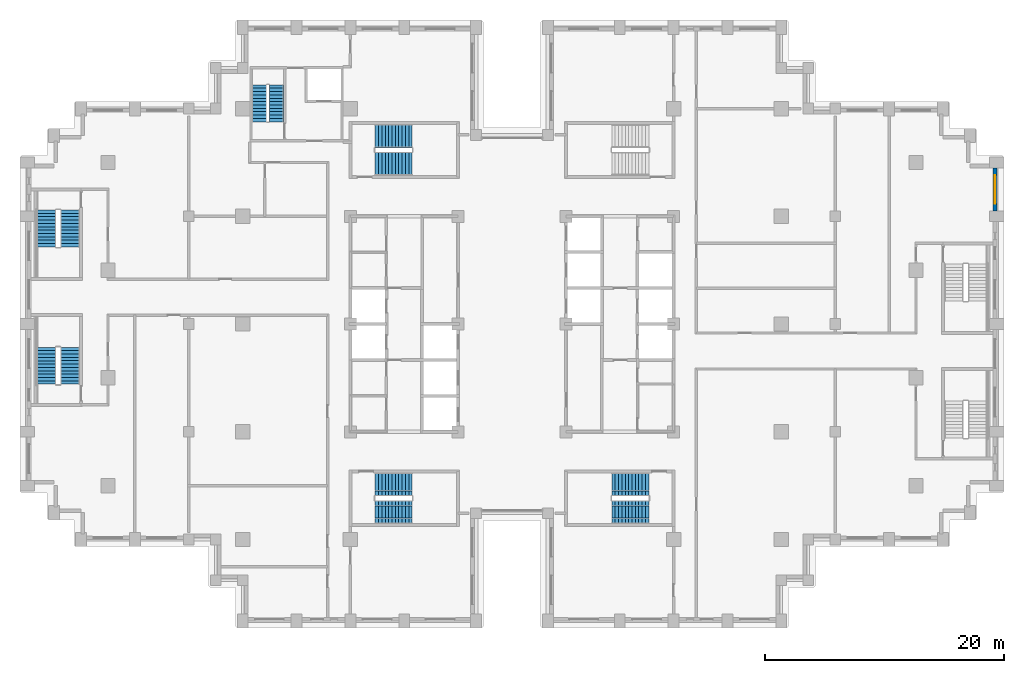
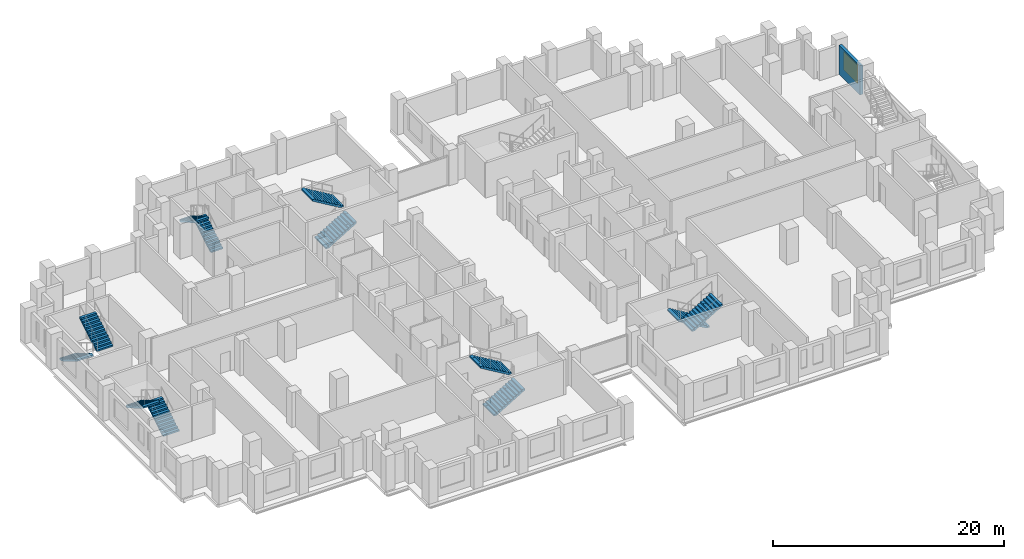
# One storey, part 12 of 15: 12 stair flights, 1 wall, 1 window, 1 opening, 6 elements without a shape of their own.
"""IFC4 building model written with IfcOpenShell, lengths in metres."""

import ifcopenshell
import ifcopenshell.guid

model = None  # the IFC model being written
_history = None  # IfcOwnerHistory: only IFC2X3 demands one
_inside = {}  # id of a spatial element -> (the spatial element, [elements in it])
_under = {}  # id of a project, library or spatial element -> (it, [spatial elements below it])
_declared = {}  # id of a project -> (the project, [libraries it declares])
_typed = {}  # id of a type object -> (the type object, [elements of that type])
_made_of = {}  # id of a material, layer set ... -> (it, [elements and type objects made of it])


def new_model(schema):
    """Start an empty IFC model of exactly this schema.

    Asked for "IFC4X3", IfcOpenShell would pick the latest addendum, in which some entities
    have other attributes; the version numbers below select the first issue.
    IFC2X3 requires an IfcOwnerHistory on every rooted entity: one is made here for all.
    """
    global model, _history
    if schema == "IFC4X3":
        model = ifcopenshell.file(schema_version=(4, 3, 0, 0))
    else:
        model = ifcopenshell.file(schema=schema)
    _inside.clear()
    _under.clear()
    _declared.clear()
    _typed.clear()
    _made_of.clear()
    _history = None
    if model.schema == "IFC2X3":
        org = make("IfcOrganization", Name="unknown")
        user = make(
            "IfcPersonAndOrganization",
            ThePerson=make("IfcPerson", FamilyName="unknown"),
            TheOrganization=org,
        )
        app = make(
            "IfcApplication",
            ApplicationDeveloper=org,
            Version="unknown",
            ApplicationFullName="unknown",
            ApplicationIdentifier="unknown",
        )
        _history = make(
            "IfcOwnerHistory",
            OwningUser=user,
            OwningApplication=app,
            ChangeAction="ADDED",
            CreationDate=0,
        )
    return model


def make(cls, **values):
    """One entity of the class cls with the attributes given. An attribute that is None is left unset."""
    return model.create_entity(
        cls, **{name: value for name, value in values.items() if value is not None}
    )


def rooted(cls, **values):
    """An entity with a GlobalId (a new one), such as an element, a storey or a relation."""
    return make(cls, GlobalId=ifcopenshell.guid.new(), OwnerHistory=_history, **values)


def si_unit(unit_type, name, prefix=None):
    """IfcSIUnit, for example si_unit("LENGTHUNIT", "METRE", prefix="MILLI")."""
    return make("IfcSIUnit", UnitType=unit_type, Prefix=prefix, Name=name)


def assignment(units):
    """IfcUnitAssignment: the units of a project."""
    return None if units is None else make("IfcUnitAssignment", Units=units)


def point(xyz):
    """IfcCartesianPoint."""
    return None if xyz is None else make("IfcCartesianPoint", Coordinates=xyz)


def direction(xyz):
    """IfcDirection."""
    return None if xyz is None else make("IfcDirection", DirectionRatios=xyz)


def frame(location, z_axis=None, x_axis=None):
    """IfcAxis2Placement3D, a coordinate frame: its origin and axes. An axis left out is left unset."""
    return make(
        "IfcAxis2Placement3D",
        Location=point(location),
        Axis=direction(z_axis),
        RefDirection=direction(x_axis),
    )


def frame_2d(location, x_axis=None):
    """IfcAxis2Placement2D, a coordinate frame in the plane: its origin and x axis."""
    return make(
        "IfcAxis2Placement2D", Location=point(location), RefDirection=direction(x_axis)
    )


def origin():
    """The frame at (0, 0, 0) with its axes left unset."""
    return frame((0.0, 0.0, 0.0))


def place(relative_to, where):
    """IfcLocalPlacement: puts the frame where relative to a parent placement (None: the world)."""
    return make(
        "IfcLocalPlacement", PlacementRelTo=relative_to, RelativePlacement=where
    )


def context(
    kind, dimensions, precision=None, world=None, true_north=None, identifier=None
):
    """IfcGeometricRepresentationContext, for example the 3D "Model" context."""
    return make(
        "IfcGeometricRepresentationContext",
        ContextIdentifier=identifier,
        ContextType=kind,
        CoordinateSpaceDimension=dimensions,
        Precision=precision,
        WorldCoordinateSystem=world,
        TrueNorth=true_north,
    )


def subcontext(parent, identifier, kind, view, scale=None):
    """IfcGeometricRepresentationSubContext, for example "Body" below "Model"."""
    return make(
        "IfcGeometricRepresentationSubContext",
        ContextIdentifier=identifier,
        ContextType=kind,
        ParentContext=parent,
        TargetScale=scale,
        TargetView=view,
    )


def project(units=None, contexts=None):
    """IfcProject with its units and contexts."""
    return rooted(
        "IfcProject",
        Name="project",
        RepresentationContexts=contexts,
        UnitsInContext=assignment(units),
    )


def spatial(cls, under=None, at=None, **own):
    """A site, building, storey or space (cls), placed at a placement, below another one or the project."""
    s = rooted(cls, ObjectPlacement=at, **own)
    if under is not None:
        _under.setdefault(under.id(), (under, []))[1].append(s)
    return s


def polyline(points):
    """IfcPolyline through the points."""
    return make("IfcPolyline", Points=[point(p) for p in points])


def profile(cls, at=None, kind="AREA", **sizes):
    """A parametric profile (cls). Its sizes go by their IFC names, for example OverallWidth=200.0."""
    return make(cls, ProfileType=kind, Position=at, **sizes)


def rectangle(**sizes):
    """IfcRectangleProfileDef."""
    return profile("IfcRectangleProfileDef", **sizes)


def outline(outer, holes=None, kind="AREA"):
    """IfcArbitraryClosedProfileDef: a profile drawn as a closed curve; with holes, ...WithVoids."""
    if holes is None:
        return make("IfcArbitraryClosedProfileDef", ProfileType=kind, OuterCurve=outer)
    return make(
        "IfcArbitraryProfileDefWithVoids",
        ProfileType=kind,
        OuterCurve=outer,
        InnerCurves=holes,
    )


def extrude(swept, where, along, depth):
    """IfcExtrudedAreaSolid: the profile swept, set in the frame where, extruded along a direction by depth."""
    return make(
        "IfcExtrudedAreaSolid",
        SweptArea=swept,
        Position=where,
        ExtrudedDirection=direction(along),
        Depth=depth,
    )


def shape(context_of_items, identifier, shape_type, items):
    """IfcShapeRepresentation: the items that make up one representation, for example the "Body"."""
    return make(
        "IfcShapeRepresentation",
        ContextOfItems=context_of_items,
        RepresentationIdentifier=identifier,
        RepresentationType=shape_type,
        Items=items,
    )


def material(Name=None, Category=None):
    """IfcMaterial."""
    return make("IfcMaterial", Name=Name, Category=Category)


def layer(
    of_material, thickness, ventilated=None, Name=None, Category=None, Priority=None
):
    """IfcMaterialLayer: one layer of a wall or slab, of a material (None: an air gap)."""
    return make(
        "IfcMaterialLayer",
        Material=of_material,
        LayerThickness=thickness,
        IsVentilated=ventilated,
        Name=Name,
        Category=Category,
        Priority=Priority,
    )


def layer_set(layers, Name=None):
    """IfcMaterialLayerSet."""
    return make("IfcMaterialLayerSet", MaterialLayers=layers, LayerSetName=Name)


def made_of(thing, what):
    """Note that an element or type object is made of a material, layer set ...; save() writes the relation."""
    if what is not None:
        _made_of.setdefault(what.id(), (what, []))[1].append(thing)
    return thing


def type_object(cls, material=None, **own):
    """A type object (cls), such as IfcWallType, which elements share."""
    return made_of(rooted(cls, **own), material)


def element(
    cls,
    number,
    at=None,
    inside=None,
    cuts=None,
    type_object=None,
    material=None,
    context=None,
    identifier="Body",
    shape_type=None,
    held_by="IfcProductDefinitionShape",
    body=None,
    shapes=None,
    **own,
):
    """One element of the class cls, such as IfcWall. Its Tag is "e" and its number.

    at: its placement. inside: the storey or other place that contains it. cuts: it is an
    opening in that element (IfcRelVoidsElement). A single representation is given by context,
    identifier, shape_type and body (its items); several are given by shapes. held_by: the class
    of the entity that holds the representations. save() writes the other relations.
    """
    e = rooted(cls, Tag="e%d" % number, ObjectPlacement=at, **own)
    if body is not None:
        shapes = [shape(context, identifier, shape_type, body)]
    if shapes is not None:
        e.Representation = make(held_by, Representations=shapes)
    if inside is not None:
        _inside.setdefault(inside.id(), (inside, []))[1].append(e)
    if cuts is not None:
        rooted(
            "IfcRelVoidsElement", RelatingBuildingElement=cuts, RelatedOpeningElement=e
        )
    if type_object is not None:
        _typed.setdefault(type_object.id(), (type_object, []))[1].append(e)
    return made_of(e, material)


def fill(opening, filler):
    """IfcRelFillsElement: the door or window that sits in an opening."""
    return rooted(
        "IfcRelFillsElement",
        RelatingOpeningElement=opening,
        RelatedBuildingElement=filler,
    )


def aggregate(whole, parts):
    """IfcRelAggregates: a whole, such as a stair, and the parts it consists of."""
    return rooted("IfcRelAggregates", RelatingObject=whole, RelatedObjects=parts)


def save(model, path):
    """Write the relations noted so far, then the file.

    IfcRelAggregates (storeys below a building ...), IfcRelContainedInSpatialStructure (elements
    in a storey), IfcRelDefinesByType, IfcRelAssociatesMaterial and IfcRelDeclares: one each for
    every whole, place, type object, material and project.
    """
    for whole, parts in _under.values():
        aggregate(whole, parts)
    for where, things in _inside.values():
        rooted(
            "IfcRelContainedInSpatialStructure",
            RelatedElements=things,
            RelatingStructure=where,
        )
    for kind, things in _typed.values():
        rooted("IfcRelDefinesByType", RelatedObjects=things, RelatingType=kind)
    for what, things in _made_of.values():
        rooted("IfcRelAssociatesMaterial", RelatedObjects=things, RelatingMaterial=what)
    for by, libraries in _declared.values():
        rooted("IfcRelDeclares", RelatingContext=by, RelatedDefinitions=libraries)
    model.write(path)


model = new_model("IFC4")

# Units and contexts
model_context = context("Model", 3, precision=1e-05, world=origin(), true_north=direction((0.0, 1.0)))
body_context = subcontext(model_context, "Body", "Model", "MODEL_VIEW")
ifc_project = project(units=[si_unit("LENGTHUNIT", "METRE"), si_unit("AREAUNIT", "SQUARE_METRE"), si_unit("VOLUMEUNIT", "CUBIC_METRE"), si_unit("PLANEANGLEUNIT", "RADIAN"), si_unit("MASSUNIT", "GRAM", prefix="KILO")], contexts=[model_context])

# Site, building, storey
site_placement = place(None, origin())
site = spatial("IfcSite", under=ifc_project, at=site_placement, CompositionType="ELEMENT")
building_placement = place(site_placement, origin())
building = spatial("IfcBuilding", under=site, at=building_placement, Name="Corbelhall Arena Tower", CompositionType="ELEMENT")
storey_placement = place(building_placement, frame((0.0, 0.0, 80.0)))
storey = spatial("IfcBuildingStorey", under=building, at=storey_placement, Name="L12", CompositionType="ELEMENT", Elevation=80.0)

# Wall, opening, window
ifc_material_1 = material(Name="Precast concrete C40/50 with granite facing", Category="masonry")
ifc_layer = layer(ifc_material_1, 0.300048828125)
ifc_layer_set = layer_set([ifc_layer], Name="EV-IW1 Infill panel 300")
wall_type = type_object("IfcWallType", Name="EV-IW1 Infill panel 300", PredefinedType="SOLIDWALL", material=ifc_layer_set)
wall_placement = place(storey_placement, frame((40.35009765625, 9.449951171875, 0.0), z_axis=(0.0, 0.0, 1.0), x_axis=(0.0, 1.0, 0.0)))
wall = element("IfcWall", 1, at=wall_placement, inside=storey, type_object=wall_type, Name="Infill panel IW1", PredefinedType="SOLIDWALL", context=body_context, shape_type="SweptSolid", body=[
    extrude(rectangle(XDim=3.60009765625, YDim=0.300048828125, at=frame_2d((1.800048828125, 0.0))), origin(), (0.0, 0.0, 1.0), 3.10009765625),
])
opening_placement = place(wall_placement, frame((0.60009765625, 0.0, 0.800048828125)))
opening = element("IfcOpeningElement", 2, at=opening_placement, cuts=wall, Name="Opening WN1", PredefinedType="OPENING", context=body_context, shape_type="SweptSolid", body=[
    extrude(rectangle(XDim=2.39990234375, YDim=1.949951171875, at=frame_2d((1.199951171875, 0.97509765625))), frame((0.0, 0.14990234375, 0.0), z_axis=(0.0, -1.0, 0.0), x_axis=(1.0, 0.0, 0.0)), (0.0, 0.0, 1.0), 0.300048828125),
])
ifc_material_2 = material(Name="Aluminium black anodised", Category="aluminium")
window_type = type_object("IfcWindowType", Name="EV-WN1 Office window", PartitioningType="SINGLE_PANEL", PredefinedType="WINDOW", material=ifc_material_2)
window_placement = place(opening_placement, origin())
window = element("IfcWindow", 3, at=window_placement, inside=storey, type_object=window_type, Name="Window WN1", OverallHeight=1.949951171875, OverallWidth=2.39990234375, PartitioningType="SINGLE_PANEL", PredefinedType="WINDOW", context=body_context, shape_type="SweptSolid", body=[
    extrude(rectangle(XDim=2.39990234375, YDim=1.949951171875, at=frame_2d((1.199951171875, 0.97509765625))), frame((0.0, 0.030029296875, 0.0), z_axis=(0.0, -1.0, 0.0), x_axis=(1.0, 0.0, 0.0)), (0.0, 0.0, 1.0), 0.06005859375),
])
fill(opening, window)

# Stair, stair flights
ifc_material_3 = material(Name="Concrete C40/50", Category="concrete")
stair_type = type_object("IfcStairType", Name="IN-ST-TOWER", PredefinedType="HALF_TURN_STAIR", material=ifc_material_3)
stair_1_placement = place(storey_placement, origin())
stair_1 = element("IfcStair", 4, at=stair_1_placement, inside=storey, type_object=stair_type, Name="L12 Exit stair ST1", PredefinedType="HALF_TURN_STAIR")
stair_flight_type = type_object("IfcStairFlightType", Name="IN-SFL-RC", PredefinedType="STRAIGHT", material=ifc_material_3)
stair_flight_1_placement = place(storey_placement, frame((-11.425048828125, 13.39990234375, 0.0), z_axis=(0.0, 0.0, 1.0), x_axis=(1.0, 0.0, 0.0)))
stair_flight_1 = element("IfcStairFlight", 5, at=stair_flight_1_placement, type_object=stair_flight_type, Name="ST1 flight 1", NumberOfRisers=12, NumberOfTreads=11, PredefinedType="STRAIGHT", RiserHeight=0.166666667, TreadLength=0.28, context=body_context, shape_type="SweptSolid", body=[
    extrude(outline(polyline([(0.0, 0.0), (0.0, 0.166748046875), (0.280029296875, 0.166748046875), (0.280029296875, 0.333251953125), (0.56005859375, 0.333251953125), (0.56005859375, 0.5), (0.840087890625, 0.5), (0.840087890625, 0.666748046875), (1.1201171875, 0.666748046875), (1.1201171875, 0.833251953125), (1.39990234375, 0.833251953125), (1.39990234375, 1.0), (1.679931640625, 1.0), (1.679931640625, 1.166748046875), (1.9599609375, 1.166748046875), (1.9599609375, 1.333251953125), (2.239990234375, 1.333251953125), (2.239990234375, 1.5), (2.52001953125, 1.5), (2.52001953125, 1.666748046875), (2.800048828125, 1.666748046875), (2.800048828125, 1.833251953125), (3.080078125, 1.833251953125), (3.080078125, 2.0), (3.080078125, 1.658935546875), (0.29296875, 0.0), (0.0, 0.0)])), frame((0.0, 0.97509765625, 0.0), z_axis=(0.0, -1.0, 0.0), x_axis=(1.0, 0.0, 0.0)), (0.0, 0.0, 1.0), 0.449951171875),
    extrude(outline(polyline([(0.0, 0.0), (0.0, 0.166748046875), (0.280029296875, 0.166748046875), (0.280029296875, 0.333251953125), (0.56005859375, 0.333251953125), (0.56005859375, 0.5), (0.840087890625, 0.5), (0.840087890625, 0.666748046875), (1.1201171875, 0.666748046875), (1.1201171875, 0.833251953125), (1.39990234375, 0.833251953125), (1.39990234375, 1.0), (1.679931640625, 1.0), (1.679931640625, 1.166748046875), (1.9599609375, 1.166748046875), (1.9599609375, 1.333251953125), (2.239990234375, 1.333251953125), (2.239990234375, 1.5), (2.52001953125, 1.5), (2.52001953125, 1.666748046875), (2.800048828125, 1.666748046875), (2.800048828125, 1.833251953125), (3.080078125, 1.833251953125), (3.080078125, 2.0), (3.080078125, 1.658935546875), (0.29296875, 0.0), (0.0, 0.0)])), frame((0.0, 0.52099609375, 0.0), z_axis=(0.0, -1.0, 0.0), x_axis=(1.0, 0.0, 0.0)), (0.0, 0.0, 1.0), 1.0419921875),
    extrude(outline(polyline([(0.0, 0.0), (0.0, 0.166748046875), (0.280029296875, 0.166748046875), (0.280029296875, 0.333251953125), (0.56005859375, 0.333251953125), (0.56005859375, 0.5), (0.840087890625, 0.5), (0.840087890625, 0.666748046875), (1.1201171875, 0.666748046875), (1.1201171875, 0.833251953125), (1.39990234375, 0.833251953125), (1.39990234375, 1.0), (1.679931640625, 1.0), (1.679931640625, 1.166748046875), (1.9599609375, 1.166748046875), (1.9599609375, 1.333251953125), (2.239990234375, 1.333251953125), (2.239990234375, 1.5), (2.52001953125, 1.5), (2.52001953125, 1.666748046875), (2.800048828125, 1.666748046875), (2.800048828125, 1.833251953125), (3.080078125, 1.833251953125), (3.080078125, 2.0), (3.080078125, 1.658935546875), (0.29296875, 0.0), (0.0, 0.0)])), frame((0.0, -0.52490234375, 0.0), z_axis=(0.0, -1.0, 0.0), x_axis=(1.0, 0.0, 0.0)), (0.0, 0.0, 1.0), 0.449951171875),
])
stair_flight_2_placement = place(storey_placement, frame((-8.344970703125, 15.699951171875, 2.0), z_axis=(0.0, 0.0, 1.0), x_axis=(-1.0, 0.0, 0.0)))
stair_flight_2 = element("IfcStairFlight", 6, at=stair_flight_2_placement, type_object=stair_flight_type, Name="ST1 flight 2", NumberOfRisers=12, NumberOfTreads=11, PredefinedType="STRAIGHT", RiserHeight=0.166666667, TreadLength=0.28, context=body_context, shape_type="SweptSolid", body=[
    extrude(outline(polyline([(0.0, 0.0), (0.0, 0.166748046875), (0.280029296875, 0.166748046875), (0.280029296875, 0.333251953125), (0.56005859375, 0.333251953125), (0.56005859375, 0.5), (0.840087890625, 0.5), (0.840087890625, 0.666748046875), (1.1201171875, 0.666748046875), (1.1201171875, 0.833251953125), (1.39990234375, 0.833251953125), (1.39990234375, 1.0), (1.679931640625, 1.0), (1.679931640625, 1.166748046875), (1.9599609375, 1.166748046875), (1.9599609375, 1.333251953125), (2.239990234375, 1.333251953125), (2.239990234375, 1.5), (2.52001953125, 1.5), (2.52001953125, 1.666748046875), (2.800048828125, 1.666748046875), (2.800048828125, 1.833251953125), (3.080078125, 1.833251953125), (3.080078125, 2.0), (3.080078125, 1.658935546875), (0.29296875, 0.0), (0.0, 0.0)])), frame((0.0, 0.97509765625, 0.0), z_axis=(0.0, -1.0, 0.0), x_axis=(1.0, 0.0, 0.0)), (0.0, 0.0, 1.0), 0.449951171875),
    extrude(outline(polyline([(0.0, 0.0), (0.0, 0.166748046875), (0.280029296875, 0.166748046875), (0.280029296875, 0.333251953125), (0.56005859375, 0.333251953125), (0.56005859375, 0.5), (0.840087890625, 0.5), (0.840087890625, 0.666748046875), (1.1201171875, 0.666748046875), (1.1201171875, 0.833251953125), (1.39990234375, 0.833251953125), (1.39990234375, 1.0), (1.679931640625, 1.0), (1.679931640625, 1.166748046875), (1.9599609375, 1.166748046875), (1.9599609375, 1.333251953125), (2.239990234375, 1.333251953125), (2.239990234375, 1.5), (2.52001953125, 1.5), (2.52001953125, 1.666748046875), (2.800048828125, 1.666748046875), (2.800048828125, 1.833251953125), (3.080078125, 1.833251953125), (3.080078125, 2.0), (3.080078125, 1.658935546875), (0.29296875, 0.0), (0.0, 0.0)])), frame((0.0, 0.52099609375, 0.0), z_axis=(0.0, -1.0, 0.0), x_axis=(1.0, 0.0, 0.0)), (0.0, 0.0, 1.0), 1.0419921875),
    extrude(outline(polyline([(0.0, 0.0), (0.0, 0.166748046875), (0.280029296875, 0.166748046875), (0.280029296875, 0.333251953125), (0.56005859375, 0.333251953125), (0.56005859375, 0.5), (0.840087890625, 0.5), (0.840087890625, 0.666748046875), (1.1201171875, 0.666748046875), (1.1201171875, 0.833251953125), (1.39990234375, 0.833251953125), (1.39990234375, 1.0), (1.679931640625, 1.0), (1.679931640625, 1.166748046875), (1.9599609375, 1.166748046875), (1.9599609375, 1.333251953125), (2.239990234375, 1.333251953125), (2.239990234375, 1.5), (2.52001953125, 1.5), (2.52001953125, 1.666748046875), (2.800048828125, 1.666748046875), (2.800048828125, 1.833251953125), (3.080078125, 1.833251953125), (3.080078125, 2.0), (3.080078125, 1.658935546875), (0.29296875, 0.0), (0.0, 0.0)])), frame((0.0, -0.52490234375, 0.0), z_axis=(0.0, -1.0, 0.0), x_axis=(1.0, 0.0, 0.0)), (0.0, 0.0, 1.0), 0.449951171875),
])
aggregate(stair_1, [stair_flight_1, stair_flight_2])

stair_2_placement = place(storey_placement, origin())
stair_2 = element("IfcStair", 7, at=stair_2_placement, inside=storey, type_object=stair_type, Name="L12 Exit stair ST2", PredefinedType="HALF_TURN_STAIR")
stair_flight_3_placement = place(storey_placement, frame((-11.425048828125, -15.699951171875, 0.0), z_axis=(0.0, 0.0, 1.0), x_axis=(1.0, 0.0, 0.0)))
stair_flight_3 = element("IfcStairFlight", 8, at=stair_flight_3_placement, type_object=stair_flight_type, Name="ST2 flight 1", NumberOfRisers=12, NumberOfTreads=11, PredefinedType="STRAIGHT", RiserHeight=0.166666667, TreadLength=0.28, context=body_context, shape_type="SweptSolid", body=[
    extrude(outline(polyline([(0.0, 0.0), (0.0, 0.166748046875), (0.280029296875, 0.166748046875), (0.280029296875, 0.333251953125), (0.56005859375, 0.333251953125), (0.56005859375, 0.5), (0.840087890625, 0.5), (0.840087890625, 0.666748046875), (1.1201171875, 0.666748046875), (1.1201171875, 0.833251953125), (1.39990234375, 0.833251953125), (1.39990234375, 1.0), (1.679931640625, 1.0), (1.679931640625, 1.166748046875), (1.9599609375, 1.166748046875), (1.9599609375, 1.333251953125), (2.239990234375, 1.333251953125), (2.239990234375, 1.5), (2.52001953125, 1.5), (2.52001953125, 1.666748046875), (2.800048828125, 1.666748046875), (2.800048828125, 1.833251953125), (3.080078125, 1.833251953125), (3.080078125, 2.0), (3.080078125, 1.658935546875), (0.29296875, 0.0), (0.0, 0.0)])), frame((0.0, 0.97509765625, 0.0), z_axis=(0.0, -1.0, 0.0), x_axis=(1.0, 0.0, 0.0)), (0.0, 0.0, 1.0), 0.449951171875),
    extrude(outline(polyline([(0.0, 0.0), (0.0, 0.166748046875), (0.280029296875, 0.166748046875), (0.280029296875, 0.333251953125), (0.56005859375, 0.333251953125), (0.56005859375, 0.5), (0.840087890625, 0.5), (0.840087890625, 0.666748046875), (1.1201171875, 0.666748046875), (1.1201171875, 0.833251953125), (1.39990234375, 0.833251953125), (1.39990234375, 1.0), (1.679931640625, 1.0), (1.679931640625, 1.166748046875), (1.9599609375, 1.166748046875), (1.9599609375, 1.333251953125), (2.239990234375, 1.333251953125), (2.239990234375, 1.5), (2.52001953125, 1.5), (2.52001953125, 1.666748046875), (2.800048828125, 1.666748046875), (2.800048828125, 1.833251953125), (3.080078125, 1.833251953125), (3.080078125, 2.0), (3.080078125, 1.658935546875), (0.29296875, 0.0), (0.0, 0.0)])), frame((0.0, 0.52099609375, 0.0), z_axis=(0.0, -1.0, 0.0), x_axis=(1.0, 0.0, 0.0)), (0.0, 0.0, 1.0), 1.0419921875),
    extrude(outline(polyline([(0.0, 0.0), (0.0, 0.166748046875), (0.280029296875, 0.166748046875), (0.280029296875, 0.333251953125), (0.56005859375, 0.333251953125), (0.56005859375, 0.5), (0.840087890625, 0.5), (0.840087890625, 0.666748046875), (1.1201171875, 0.666748046875), (1.1201171875, 0.833251953125), (1.39990234375, 0.833251953125), (1.39990234375, 1.0), (1.679931640625, 1.0), (1.679931640625, 1.166748046875), (1.9599609375, 1.166748046875), (1.9599609375, 1.333251953125), (2.239990234375, 1.333251953125), (2.239990234375, 1.5), (2.52001953125, 1.5), (2.52001953125, 1.666748046875), (2.800048828125, 1.666748046875), (2.800048828125, 1.833251953125), (3.080078125, 1.833251953125), (3.080078125, 2.0), (3.080078125, 1.658935546875), (0.29296875, 0.0), (0.0, 0.0)])), frame((0.0, -0.52490234375, 0.0), z_axis=(0.0, -1.0, 0.0), x_axis=(1.0, 0.0, 0.0)), (0.0, 0.0, 1.0), 0.449951171875),
])
stair_flight_4_placement = place(storey_placement, frame((-8.344970703125, -13.39990234375, 2.0), z_axis=(0.0, 0.0, 1.0), x_axis=(-1.0, 0.0, 0.0)))
stair_flight_4 = element("IfcStairFlight", 9, at=stair_flight_4_placement, type_object=stair_flight_type, Name="ST2 flight 2", NumberOfRisers=12, NumberOfTreads=11, PredefinedType="STRAIGHT", RiserHeight=0.166666667, TreadLength=0.28, context=body_context, shape_type="SweptSolid", body=[
    extrude(outline(polyline([(0.0, 0.0), (0.0, 0.166748046875), (0.280029296875, 0.166748046875), (0.280029296875, 0.333251953125), (0.56005859375, 0.333251953125), (0.56005859375, 0.5), (0.840087890625, 0.5), (0.840087890625, 0.666748046875), (1.1201171875, 0.666748046875), (1.1201171875, 0.833251953125), (1.39990234375, 0.833251953125), (1.39990234375, 1.0), (1.679931640625, 1.0), (1.679931640625, 1.166748046875), (1.9599609375, 1.166748046875), (1.9599609375, 1.333251953125), (2.239990234375, 1.333251953125), (2.239990234375, 1.5), (2.52001953125, 1.5), (2.52001953125, 1.666748046875), (2.800048828125, 1.666748046875), (2.800048828125, 1.833251953125), (3.080078125, 1.833251953125), (3.080078125, 2.0), (3.080078125, 1.658935546875), (0.29296875, 0.0), (0.0, 0.0)])), frame((0.0, 0.97509765625, 0.0), z_axis=(0.0, -1.0, 0.0), x_axis=(1.0, 0.0, 0.0)), (0.0, 0.0, 1.0), 0.449951171875),
    extrude(outline(polyline([(0.0, 0.0), (0.0, 0.166748046875), (0.280029296875, 0.166748046875), (0.280029296875, 0.333251953125), (0.56005859375, 0.333251953125), (0.56005859375, 0.5), (0.840087890625, 0.5), (0.840087890625, 0.666748046875), (1.1201171875, 0.666748046875), (1.1201171875, 0.833251953125), (1.39990234375, 0.833251953125), (1.39990234375, 1.0), (1.679931640625, 1.0), (1.679931640625, 1.166748046875), (1.9599609375, 1.166748046875), (1.9599609375, 1.333251953125), (2.239990234375, 1.333251953125), (2.239990234375, 1.5), (2.52001953125, 1.5), (2.52001953125, 1.666748046875), (2.800048828125, 1.666748046875), (2.800048828125, 1.833251953125), (3.080078125, 1.833251953125), (3.080078125, 2.0), (3.080078125, 1.658935546875), (0.29296875, 0.0), (0.0, 0.0)])), frame((0.0, 0.52099609375, 0.0), z_axis=(0.0, -1.0, 0.0), x_axis=(1.0, 0.0, 0.0)), (0.0, 0.0, 1.0), 1.0419921875),
    extrude(outline(polyline([(0.0, 0.0), (0.0, 0.166748046875), (0.280029296875, 0.166748046875), (0.280029296875, 0.333251953125), (0.56005859375, 0.333251953125), (0.56005859375, 0.5), (0.840087890625, 0.5), (0.840087890625, 0.666748046875), (1.1201171875, 0.666748046875), (1.1201171875, 0.833251953125), (1.39990234375, 0.833251953125), (1.39990234375, 1.0), (1.679931640625, 1.0), (1.679931640625, 1.166748046875), (1.9599609375, 1.166748046875), (1.9599609375, 1.333251953125), (2.239990234375, 1.333251953125), (2.239990234375, 1.5), (2.52001953125, 1.5), (2.52001953125, 1.666748046875), (2.800048828125, 1.666748046875), (2.800048828125, 1.833251953125), (3.080078125, 1.833251953125), (3.080078125, 2.0), (3.080078125, 1.658935546875), (0.29296875, 0.0), (0.0, 0.0)])), frame((0.0, -0.52490234375, 0.0), z_axis=(0.0, -1.0, 0.0), x_axis=(1.0, 0.0, 0.0)), (0.0, 0.0, 1.0), 0.449951171875),
])
aggregate(stair_2, [stair_flight_3, stair_flight_4])

stair_3_placement = place(storey_placement, origin())
stair_3 = element("IfcStair", 10, at=stair_3_placement, inside=storey, type_object=stair_type, Name="L12 Exit stair ST4", PredefinedType="HALF_TURN_STAIR")
stair_flight_5_placement = place(storey_placement, frame((11.425048828125, -13.39990234375, 0.0), z_axis=(0.0, 0.0, 1.0), x_axis=(-1.0, 0.0, 0.0)))
stair_flight_5 = element("IfcStairFlight", 11, at=stair_flight_5_placement, type_object=stair_flight_type, Name="ST4 flight 1", NumberOfRisers=12, NumberOfTreads=11, PredefinedType="STRAIGHT", RiserHeight=0.166666667, TreadLength=0.28, context=body_context, shape_type="SweptSolid", body=[
    extrude(outline(polyline([(0.0, 0.0), (0.0, 0.166748046875), (0.280029296875, 0.166748046875), (0.280029296875, 0.333251953125), (0.56005859375, 0.333251953125), (0.56005859375, 0.5), (0.840087890625, 0.5), (0.840087890625, 0.666748046875), (1.1201171875, 0.666748046875), (1.1201171875, 0.833251953125), (1.39990234375, 0.833251953125), (1.39990234375, 1.0), (1.679931640625, 1.0), (1.679931640625, 1.166748046875), (1.9599609375, 1.166748046875), (1.9599609375, 1.333251953125), (2.239990234375, 1.333251953125), (2.239990234375, 1.5), (2.52001953125, 1.5), (2.52001953125, 1.666748046875), (2.800048828125, 1.666748046875), (2.800048828125, 1.833251953125), (3.080078125, 1.833251953125), (3.080078125, 2.0), (3.080078125, 1.658935546875), (0.29296875, 0.0), (0.0, 0.0)])), frame((0.0, 0.97509765625, 0.0), z_axis=(0.0, -1.0, 0.0), x_axis=(1.0, 0.0, 0.0)), (0.0, 0.0, 1.0), 0.449951171875),
    extrude(outline(polyline([(0.0, 0.0), (0.0, 0.166748046875), (0.280029296875, 0.166748046875), (0.280029296875, 0.333251953125), (0.56005859375, 0.333251953125), (0.56005859375, 0.5), (0.840087890625, 0.5), (0.840087890625, 0.666748046875), (1.1201171875, 0.666748046875), (1.1201171875, 0.833251953125), (1.39990234375, 0.833251953125), (1.39990234375, 1.0), (1.679931640625, 1.0), (1.679931640625, 1.166748046875), (1.9599609375, 1.166748046875), (1.9599609375, 1.333251953125), (2.239990234375, 1.333251953125), (2.239990234375, 1.5), (2.52001953125, 1.5), (2.52001953125, 1.666748046875), (2.800048828125, 1.666748046875), (2.800048828125, 1.833251953125), (3.080078125, 1.833251953125), (3.080078125, 2.0), (3.080078125, 1.658935546875), (0.29296875, 0.0), (0.0, 0.0)])), frame((0.0, 0.52099609375, 0.0), z_axis=(0.0, -1.0, 0.0), x_axis=(1.0, 0.0, 0.0)), (0.0, 0.0, 1.0), 1.0419921875),
    extrude(outline(polyline([(0.0, 0.0), (0.0, 0.166748046875), (0.280029296875, 0.166748046875), (0.280029296875, 0.333251953125), (0.56005859375, 0.333251953125), (0.56005859375, 0.5), (0.840087890625, 0.5), (0.840087890625, 0.666748046875), (1.1201171875, 0.666748046875), (1.1201171875, 0.833251953125), (1.39990234375, 0.833251953125), (1.39990234375, 1.0), (1.679931640625, 1.0), (1.679931640625, 1.166748046875), (1.9599609375, 1.166748046875), (1.9599609375, 1.333251953125), (2.239990234375, 1.333251953125), (2.239990234375, 1.5), (2.52001953125, 1.5), (2.52001953125, 1.666748046875), (2.800048828125, 1.666748046875), (2.800048828125, 1.833251953125), (3.080078125, 1.833251953125), (3.080078125, 2.0), (3.080078125, 1.658935546875), (0.29296875, 0.0), (0.0, 0.0)])), frame((0.0, -0.52490234375, 0.0), z_axis=(0.0, -1.0, 0.0), x_axis=(1.0, 0.0, 0.0)), (0.0, 0.0, 1.0), 0.449951171875),
])
stair_flight_6_placement = place(storey_placement, frame((8.344970703125, -15.699951171875, 2.0), z_axis=(0.0, 0.0, 1.0), x_axis=(1.0, 0.0, 0.0)))
stair_flight_6 = element("IfcStairFlight", 12, at=stair_flight_6_placement, type_object=stair_flight_type, Name="ST4 flight 2", NumberOfRisers=12, NumberOfTreads=11, PredefinedType="STRAIGHT", RiserHeight=0.166666667, TreadLength=0.28, context=body_context, shape_type="SweptSolid", body=[
    extrude(outline(polyline([(0.0, 0.0), (0.0, 0.166748046875), (0.280029296875, 0.166748046875), (0.280029296875, 0.333251953125), (0.56005859375, 0.333251953125), (0.56005859375, 0.5), (0.840087890625, 0.5), (0.840087890625, 0.666748046875), (1.1201171875, 0.666748046875), (1.1201171875, 0.833251953125), (1.39990234375, 0.833251953125), (1.39990234375, 1.0), (1.679931640625, 1.0), (1.679931640625, 1.166748046875), (1.9599609375, 1.166748046875), (1.9599609375, 1.333251953125), (2.239990234375, 1.333251953125), (2.239990234375, 1.5), (2.52001953125, 1.5), (2.52001953125, 1.666748046875), (2.800048828125, 1.666748046875), (2.800048828125, 1.833251953125), (3.080078125, 1.833251953125), (3.080078125, 2.0), (3.080078125, 1.658935546875), (0.29296875, 0.0), (0.0, 0.0)])), frame((0.0, 0.97509765625, 0.0), z_axis=(0.0, -1.0, 0.0), x_axis=(1.0, 0.0, 0.0)), (0.0, 0.0, 1.0), 0.449951171875),
    extrude(outline(polyline([(0.0, 0.0), (0.0, 0.166748046875), (0.280029296875, 0.166748046875), (0.280029296875, 0.333251953125), (0.56005859375, 0.333251953125), (0.56005859375, 0.5), (0.840087890625, 0.5), (0.840087890625, 0.666748046875), (1.1201171875, 0.666748046875), (1.1201171875, 0.833251953125), (1.39990234375, 0.833251953125), (1.39990234375, 1.0), (1.679931640625, 1.0), (1.679931640625, 1.166748046875), (1.9599609375, 1.166748046875), (1.9599609375, 1.333251953125), (2.239990234375, 1.333251953125), (2.239990234375, 1.5), (2.52001953125, 1.5), (2.52001953125, 1.666748046875), (2.800048828125, 1.666748046875), (2.800048828125, 1.833251953125), (3.080078125, 1.833251953125), (3.080078125, 2.0), (3.080078125, 1.658935546875), (0.29296875, 0.0), (0.0, 0.0)])), frame((0.0, 0.52099609375, 0.0), z_axis=(0.0, -1.0, 0.0), x_axis=(1.0, 0.0, 0.0)), (0.0, 0.0, 1.0), 1.0419921875),
    extrude(outline(polyline([(0.0, 0.0), (0.0, 0.166748046875), (0.280029296875, 0.166748046875), (0.280029296875, 0.333251953125), (0.56005859375, 0.333251953125), (0.56005859375, 0.5), (0.840087890625, 0.5), (0.840087890625, 0.666748046875), (1.1201171875, 0.666748046875), (1.1201171875, 0.833251953125), (1.39990234375, 0.833251953125), (1.39990234375, 1.0), (1.679931640625, 1.0), (1.679931640625, 1.166748046875), (1.9599609375, 1.166748046875), (1.9599609375, 1.333251953125), (2.239990234375, 1.333251953125), (2.239990234375, 1.5), (2.52001953125, 1.5), (2.52001953125, 1.666748046875), (2.800048828125, 1.666748046875), (2.800048828125, 1.833251953125), (3.080078125, 1.833251953125), (3.080078125, 2.0), (3.080078125, 1.658935546875), (0.29296875, 0.0), (0.0, 0.0)])), frame((0.0, -0.52490234375, 0.0), z_axis=(0.0, -1.0, 0.0), x_axis=(1.0, 0.0, 0.0)), (0.0, 0.0, 1.0), 0.449951171875),
])
aggregate(stair_3, [stair_flight_5, stair_flight_6])

stair_4_placement = place(storey_placement, origin())
stair_4 = element("IfcStair", 13, at=stair_4_placement, inside=storey, type_object=stair_type, Name="L12 Exit stair SC1", PredefinedType="HALF_TURN_STAIR")
stair_flight_7_placement = place(storey_placement, frame((-38.89990234375, 9.52490234375, 0.0), z_axis=(0.0, 0.0, 1.0), x_axis=(0.0, -1.0, 0.0)))
stair_flight_7 = element("IfcStairFlight", 14, at=stair_flight_7_placement, type_object=stair_flight_type, Name="SC1 flight 1", NumberOfRisers=12, NumberOfTreads=11, PredefinedType="STRAIGHT", RiserHeight=0.166666667, TreadLength=0.28, context=body_context, shape_type="SweptSolid", body=[
    extrude(outline(polyline([(0.0, 0.0), (0.0, 0.166748046875), (0.280029296875, 0.166748046875), (0.280029296875, 0.333251953125), (0.56005859375, 0.333251953125), (0.56005859375, 0.5), (0.840087890625, 0.5), (0.840087890625, 0.666748046875), (1.1201171875, 0.666748046875), (1.1201171875, 0.833251953125), (1.39990234375, 0.833251953125), (1.39990234375, 1.0), (1.679931640625, 1.0), (1.679931640625, 1.166748046875), (1.9599609375, 1.166748046875), (1.9599609375, 1.333251953125), (2.239990234375, 1.333251953125), (2.239990234375, 1.5), (2.52001953125, 1.5), (2.52001953125, 1.666748046875), (2.800048828125, 1.666748046875), (2.800048828125, 1.833251953125), (3.080078125, 1.833251953125), (3.080078125, 2.0), (3.080078125, 1.658935546875), (0.29296875, 0.0), (0.0, 0.0)])), frame((0.0, 0.800048828125, 0.0), z_axis=(0.0, -1.0, 0.0), x_axis=(1.0, 0.0, 0.0)), (0.0, 0.0, 1.0), 1.60009765625),
])
stair_flight_8_placement = place(storey_placement, frame((-36.925048828125, 6.445068359375, 2.0), z_axis=(0.0, 0.0, 1.0), x_axis=(0.0, 1.0, 0.0)))
stair_flight_8 = element("IfcStairFlight", 15, at=stair_flight_8_placement, type_object=stair_flight_type, Name="SC1 flight 2", NumberOfRisers=12, NumberOfTreads=11, PredefinedType="STRAIGHT", RiserHeight=0.166666667, TreadLength=0.28, context=body_context, shape_type="SweptSolid", body=[
    extrude(outline(polyline([(0.0, 0.0), (0.0, 0.166748046875), (0.280029296875, 0.166748046875), (0.280029296875, 0.333251953125), (0.56005859375, 0.333251953125), (0.56005859375, 0.5), (0.840087890625, 0.5), (0.840087890625, 0.666748046875), (1.1201171875, 0.666748046875), (1.1201171875, 0.833251953125), (1.39990234375, 0.833251953125), (1.39990234375, 1.0), (1.679931640625, 1.0), (1.679931640625, 1.166748046875), (1.9599609375, 1.166748046875), (1.9599609375, 1.333251953125), (2.239990234375, 1.333251953125), (2.239990234375, 1.5), (2.52001953125, 1.5), (2.52001953125, 1.666748046875), (2.800048828125, 1.666748046875), (2.800048828125, 1.833251953125), (3.080078125, 1.833251953125), (3.080078125, 2.0), (3.080078125, 1.658935546875), (0.29296875, 0.0), (0.0, 0.0)])), frame((0.0, 0.800048828125, 0.0), z_axis=(0.0, -1.0, 0.0), x_axis=(1.0, 0.0, 0.0)), (0.0, 0.0, 1.0), 1.60009765625),
])
aggregate(stair_4, [stair_flight_7, stair_flight_8])

stair_5_placement = place(storey_placement, origin())
stair_5 = element("IfcStair", 16, at=stair_5_placement, inside=storey, type_object=stair_type, Name="L12 Exit stair SC2", PredefinedType="HALF_TURN_STAIR")
stair_flight_9_placement = place(storey_placement, frame((-36.925048828125, -5.02490234375, 0.0), z_axis=(0.0, 0.0, 1.0), x_axis=(0.0, 1.0, 0.0)))
stair_flight_9 = element("IfcStairFlight", 17, at=stair_flight_9_placement, type_object=stair_flight_type, Name="SC2 flight 1", NumberOfRisers=12, NumberOfTreads=11, PredefinedType="STRAIGHT", RiserHeight=0.166666667, TreadLength=0.28, context=body_context, shape_type="SweptSolid", body=[
    extrude(outline(polyline([(0.0, 0.0), (0.0, 0.166748046875), (0.280029296875, 0.166748046875), (0.280029296875, 0.333251953125), (0.56005859375, 0.333251953125), (0.56005859375, 0.5), (0.840087890625, 0.5), (0.840087890625, 0.666748046875), (1.1201171875, 0.666748046875), (1.1201171875, 0.833251953125), (1.39990234375, 0.833251953125), (1.39990234375, 1.0), (1.679931640625, 1.0), (1.679931640625, 1.166748046875), (1.9599609375, 1.166748046875), (1.9599609375, 1.333251953125), (2.239990234375, 1.333251953125), (2.239990234375, 1.5), (2.52001953125, 1.5), (2.52001953125, 1.666748046875), (2.800048828125, 1.666748046875), (2.800048828125, 1.833251953125), (3.080078125, 1.833251953125), (3.080078125, 2.0), (3.080078125, 1.658935546875), (0.29296875, 0.0), (0.0, 0.0)])), frame((0.0, 0.800048828125, 0.0), z_axis=(0.0, -1.0, 0.0), x_axis=(1.0, 0.0, 0.0)), (0.0, 0.0, 1.0), 1.60009765625),
])
stair_flight_10_placement = place(storey_placement, frame((-38.89990234375, -1.945068359375, 2.0), z_axis=(0.0, 0.0, 1.0), x_axis=(0.0, -1.0, 0.0)))
stair_flight_10 = element("IfcStairFlight", 18, at=stair_flight_10_placement, type_object=stair_flight_type, Name="SC2 flight 2", NumberOfRisers=12, NumberOfTreads=11, PredefinedType="STRAIGHT", RiserHeight=0.166666667, TreadLength=0.28, context=body_context, shape_type="SweptSolid", body=[
    extrude(outline(polyline([(0.0, 0.0), (0.0, 0.166748046875), (0.280029296875, 0.166748046875), (0.280029296875, 0.333251953125), (0.56005859375, 0.333251953125), (0.56005859375, 0.5), (0.840087890625, 0.5), (0.840087890625, 0.666748046875), (1.1201171875, 0.666748046875), (1.1201171875, 0.833251953125), (1.39990234375, 0.833251953125), (1.39990234375, 1.0), (1.679931640625, 1.0), (1.679931640625, 1.166748046875), (1.9599609375, 1.166748046875), (1.9599609375, 1.333251953125), (2.239990234375, 1.333251953125), (2.239990234375, 1.5), (2.52001953125, 1.5), (2.52001953125, 1.666748046875), (2.800048828125, 1.666748046875), (2.800048828125, 1.833251953125), (3.080078125, 1.833251953125), (3.080078125, 2.0), (3.080078125, 1.658935546875), (0.29296875, 0.0), (0.0, 0.0)])), frame((0.0, 0.800048828125, 0.0), z_axis=(0.0, -1.0, 0.0), x_axis=(1.0, 0.0, 0.0)), (0.0, 0.0, 1.0), 1.60009765625),
])
aggregate(stair_5, [stair_flight_9, stair_flight_10])

stair_6_placement = place(storey_placement, origin())
stair_6 = element("IfcStair", 19, at=stair_6_placement, inside=storey, type_object=stair_type, Name="L12 Exit stair ST5", PredefinedType="HALF_TURN_STAIR")
stair_flight_11_placement = place(storey_placement, frame((-19.695068359375, 16.89990234375, 0.0), z_axis=(0.0, 0.0, 1.0), x_axis=(0.0, 1.0, 0.0)))
stair_flight_11 = element("IfcStairFlight", 20, at=stair_flight_11_placement, type_object=stair_flight_type, Name="ST5 flight 1", NumberOfRisers=12, NumberOfTreads=11, PredefinedType="STRAIGHT", RiserHeight=0.166666667, TreadLength=0.28, context=body_context, shape_type="SweptSolid", body=[
    extrude(outline(polyline([(0.0, 0.0), (0.0, 0.166748046875), (0.280029296875, 0.166748046875), (0.280029296875, 0.333251953125), (0.56005859375, 0.333251953125), (0.56005859375, 0.5), (0.840087890625, 0.5), (0.840087890625, 0.666748046875), (1.1201171875, 0.666748046875), (1.1201171875, 0.833251953125), (1.39990234375, 0.833251953125), (1.39990234375, 1.0), (1.679931640625, 1.0), (1.679931640625, 1.166748046875), (1.9599609375, 1.166748046875), (1.9599609375, 1.333251953125), (2.239990234375, 1.333251953125), (2.239990234375, 1.5), (2.52001953125, 1.5), (2.52001953125, 1.666748046875), (2.800048828125, 1.666748046875), (2.800048828125, 1.833251953125), (3.080078125, 1.833251953125), (3.080078125, 2.0), (3.080078125, 1.658935546875), (0.29296875, 0.0), (0.0, 0.0)])), frame((0.0, 0.60009765625, 0.0), z_axis=(0.0, -1.0, 0.0), x_axis=(1.0, 0.0, 0.0)), (0.0, 0.0, 1.0), 1.199951171875),
])
stair_flight_12_placement = place(storey_placement, frame((-21.094970703125, 19.97998046875, 2.0), z_axis=(0.0, 0.0, 1.0), x_axis=(0.0, -1.0, 0.0)))
stair_flight_12 = element("IfcStairFlight", 21, at=stair_flight_12_placement, type_object=stair_flight_type, Name="ST5 flight 2", NumberOfRisers=12, NumberOfTreads=11, PredefinedType="STRAIGHT", RiserHeight=0.166666667, TreadLength=0.28, context=body_context, shape_type="SweptSolid", body=[
    extrude(outline(polyline([(0.0, 0.0), (0.0, 0.166748046875), (0.280029296875, 0.166748046875), (0.280029296875, 0.333251953125), (0.56005859375, 0.333251953125), (0.56005859375, 0.5), (0.840087890625, 0.5), (0.840087890625, 0.666748046875), (1.1201171875, 0.666748046875), (1.1201171875, 0.833251953125), (1.39990234375, 0.833251953125), (1.39990234375, 1.0), (1.679931640625, 1.0), (1.679931640625, 1.166748046875), (1.9599609375, 1.166748046875), (1.9599609375, 1.333251953125), (2.239990234375, 1.333251953125), (2.239990234375, 1.5), (2.52001953125, 1.5), (2.52001953125, 1.666748046875), (2.800048828125, 1.666748046875), (2.800048828125, 1.833251953125), (3.080078125, 1.833251953125), (3.080078125, 2.0), (3.080078125, 1.658935546875), (0.29296875, 0.0), (0.0, 0.0)])), frame((0.0, 0.60009765625, 0.0), z_axis=(0.0, -1.0, 0.0), x_axis=(1.0, 0.0, 0.0)), (0.0, 0.0, 1.0), 1.199951171875),
])
aggregate(stair_6, [stair_flight_11, stair_flight_12])

save(model, "model.ifc")
